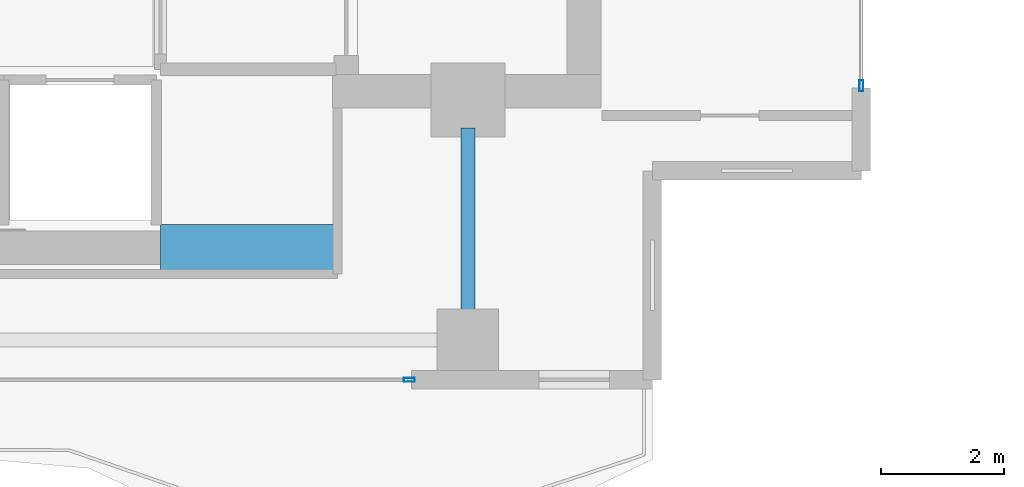
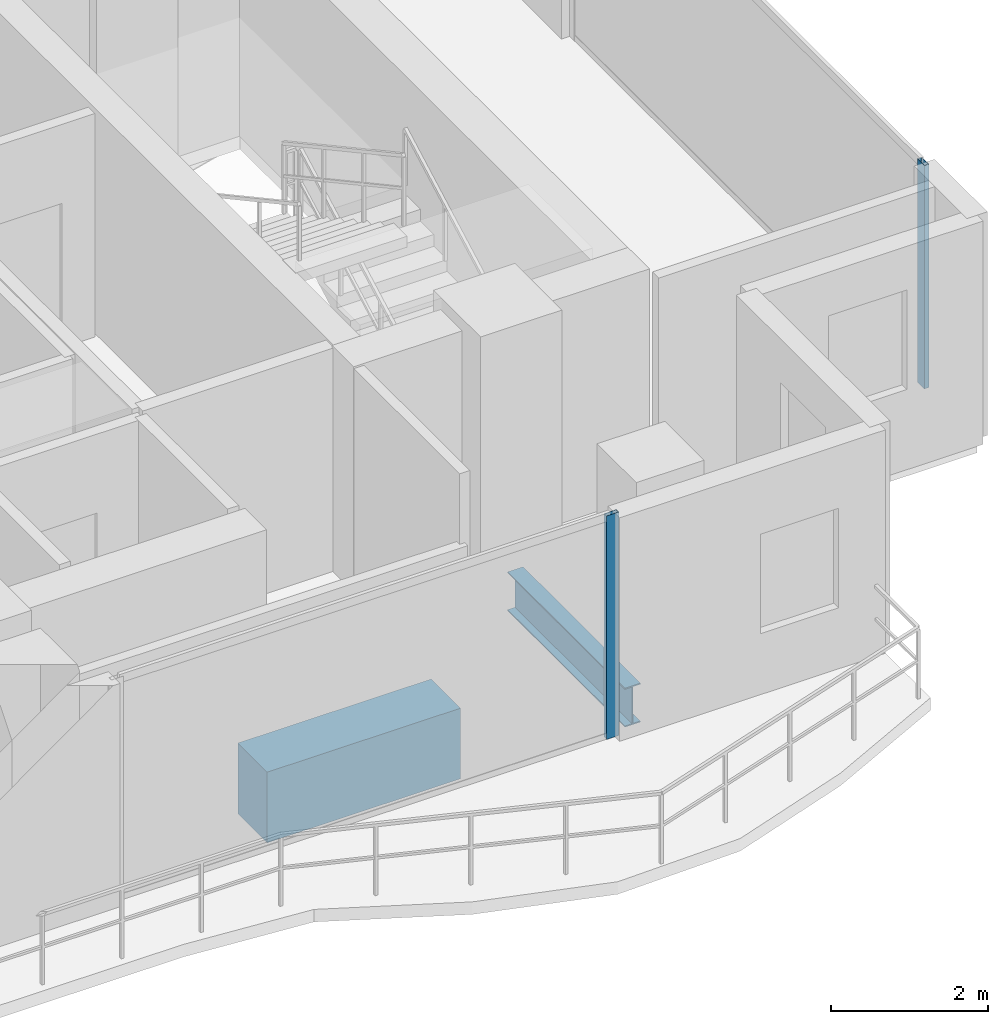
# One storey, part 8 of 26: 2 beams, 2 members, 2 elements without a shape of their own.
"""IFC4 building model written with IfcOpenShell, lengths in metres."""

from ifc_helpers import new_model, si_unit, direction, frame, origin, origin_2d, place, context, subcontext, project, spatial, rectangle, hollow_rectangle, i_section, extrude, material, layer, layer_set, material_profile, profile_set, type_object, element, aggregate, save


model = new_model("IFC4")

# Units and contexts
model_context = context("Model", 3, precision=1e-05, world=origin(), true_north=direction((0.0, 1.0)))
body_context = subcontext(model_context, "Body", "Model", "MODEL_VIEW")
ifc_project = project(units=[si_unit("LENGTHUNIT", "METRE"), si_unit("AREAUNIT", "SQUARE_METRE"), si_unit("VOLUMEUNIT", "CUBIC_METRE"), si_unit("PLANEANGLEUNIT", "RADIAN"), si_unit("MASSUNIT", "GRAM", prefix="KILO")], contexts=[model_context])

# Site, building, storey
site_placement = place(None, origin())
site = spatial("IfcSite", under=ifc_project, at=site_placement, CompositionType="ELEMENT")
building_placement = place(site_placement, origin())
building = spatial("IfcBuilding", under=site, at=building_placement, Name="Zuhayl Quay Hotel", CompositionType="ELEMENT")
storey_placement = place(building_placement, frame((0.0, 0.0, 247.050048828125)))
storey = spatial("IfcBuildingStorey", under=building, at=storey_placement, Name="L62", CompositionType="ELEMENT", Elevation=247.050048828125)

# Beams
ifc_material_1 = material(Name="Steel ASTM A992 Grade 50", Category="steel")
ifc_material_profile_1 = material_profile(ifc_material_1, i_section(OverallWidth=0.22802734375, OverallDepth=0.60693359375, WebThickness=0.01123046875, FlangeThickness=0.017333984375, at=origin_2d()), Name="W24X76")
ifc_profile_set_1 = profile_set([ifc_material_profile_1], Name="Steel ASTM A992 Grade 50")
beam_type_1 = type_object("IfcBeamType", Name="BM_B3_W24X76", PredefinedType="BEAM", material=ifc_profile_set_1)
beam_1_placement = place(storey_placement, frame((13.800048828125, 1.110107421875, -0.5234375), z_axis=(0.0, 1.0, 0.0), x_axis=(-1.0, 0.0, 0.0)))
element("IfcBeam", 1, at=beam_1_placement, inside=storey, type_object=beam_type_1, Name="L62 Floor Beam FG_S_L62_4", PredefinedType="BEAM", context=body_context, shape_type="SweptSolid", body=[
    extrude(i_section(OverallWidth=0.22802734375, OverallDepth=0.60693359375, WebThickness=0.01123046875, FlangeThickness=0.017333984375, at=origin_2d()), origin(), (0.0, 0.0, 1.0), 2.989990234375),
])
ifc_material_2 = material(Name="Concrete C60/75", Category="concrete")
ifc_material_profile_2 = material_profile(ifc_material_2, rectangle(XDim=0.75, YDim=1.10009765625, at=origin_2d()), Name="RC750X1100")
ifc_profile_set_2 = profile_set([ifc_material_profile_2], Name="Concrete C60/75")
beam_type_2 = type_object("IfcBeamType", Name="BM_CB2_RC750", PredefinedType="T_BEAM", material=ifc_profile_set_2)
beam_2_placement = place(storey_placement, frame((8.800048828125, 2.14990234375, -0.77001953125), z_axis=(1.0, 0.0, 0.0), x_axis=(0.0, 1.0, 0.0)))
element("IfcBeam", 2, at=beam_2_placement, inside=storey, type_object=beam_type_2, Name="L62 Core Coupling Beam SE", PredefinedType="T_BEAM", context=body_context, shape_type="SweptSolid", body=[
    extrude(rectangle(XDim=0.75, YDim=1.10009765625, at=origin_2d()), origin(), (0.0, 0.0, 1.0), 2.849853515625),
])

# Curtain wall, member
ifc_material_3 = material(Name="Anodised Aluminium 6063-T6", Category="aluminium")
ifc_layer = layer(ifc_material_3, 0.169921875, Name="Anodised Aluminium 6063-T6", Category="aluminium")
ifc_layer_set = layer_set([ifc_layer], Name="Anodised Aluminium 6063-T6")
curtain_wall_type = type_object("IfcCurtainWallType", Name="CW_SYS_Z4", PredefinedType="USERDEFINED", material=ifc_layer_set)
curtain_wall_1_placement = place(storey_placement, origin())
curtain_wall_1 = element("IfcCurtainWall", 3, at=curtain_wall_1_placement, inside=storey, type_object=curtain_wall_type, Name="L62 Curtain Wall ENV_L62_E14_CW1", ObjectType="UNITISED CURTAIN WALL", PredefinedType="USERDEFINED")
ifc_material_4 = material(Name="Black-anodised aluminium 6063-T6", Category="aluminium")
ifc_material_profile_3 = material_profile(ifc_material_4, hollow_rectangle(XDim=0.06494140625, YDim=0.179931640625, WallThickness=0.00341796875, at=origin_2d()), Name="ALU180X65")
ifc_profile_set_3 = profile_set([ifc_material_profile_3], Name="Black-anodised aluminium 6063-T6")
member_type = type_object("IfcMemberType", Name="MB_CW_MUL_180", PredefinedType="MULLION", material=ifc_profile_set_3)
member_1_placement = place(storey_placement, frame((20.199951171875, 4.782470703125, 0.0), z_axis=(0.0, 0.0, 1.0), x_axis=(1.0, 0.0, 0.0)))
member_1 = element("IfcMember", 4, at=member_1_placement, type_object=member_type, Name="CW-Z4 mullion 2", PredefinedType="MULLION", context=body_context, shape_type="SweptSolid", body=[
    extrude(hollow_rectangle(XDim=0.06494140625, YDim=0.179931640625, WallThickness=0.00341796875, at=origin_2d()), origin(), (0.0, 0.0, 1.0), 3.47998046875),
])
aggregate(curtain_wall_1, [member_1])

curtain_wall_2_placement = place(storey_placement, origin())
curtain_wall_2 = element("IfcCurtainWall", 5, at=curtain_wall_2_placement, inside=storey, type_object=curtain_wall_type, Name="L62 Curtain Wall ENV_L62_S_CW1", ObjectType="UNITISED CURTAIN WALL", PredefinedType="USERDEFINED")
member_2_placement = place(storey_placement, frame((12.847412109375, 0.0, 0.0), z_axis=(0.0, 0.0, 1.0), x_axis=(0.0, -1.0, 0.0)))
member_2 = element("IfcMember", 6, at=member_2_placement, type_object=member_type, Name="CW-Z4 mullion 1", PredefinedType="MULLION", context=body_context, shape_type="SweptSolid", body=[
    extrude(hollow_rectangle(XDim=0.06494140625, YDim=0.179931640625, WallThickness=0.00341796875, at=origin_2d()), origin(), (0.0, 0.0, 1.0), 3.47998046875),
])
aggregate(curtain_wall_2, [member_2])

save(model, "model.ifc")
